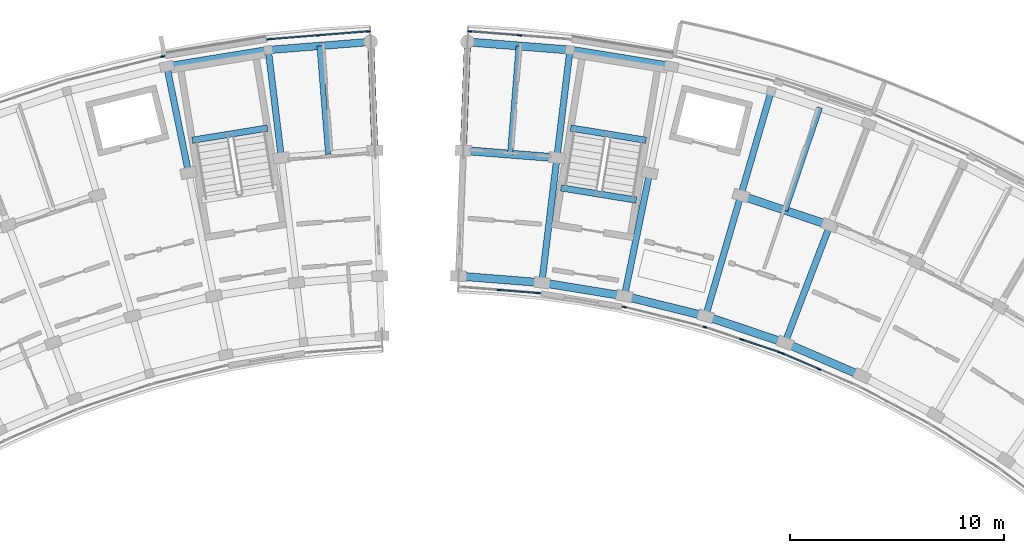
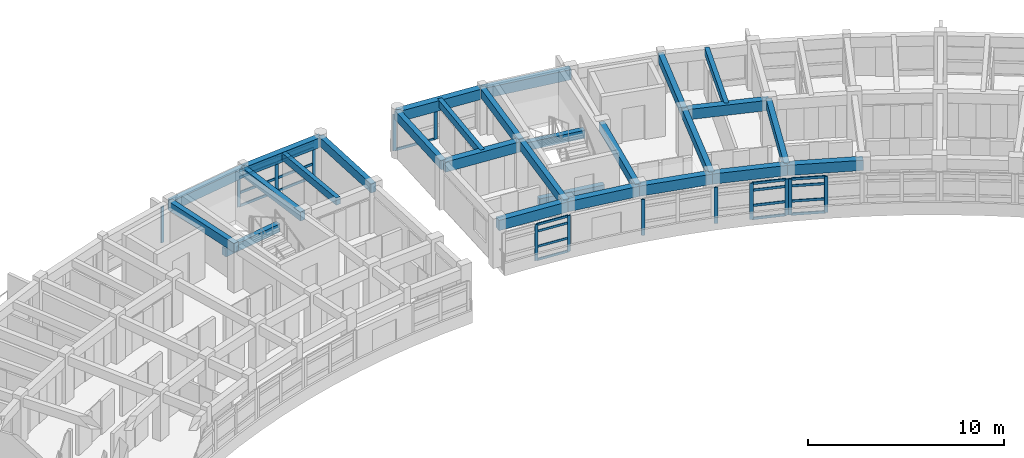
# One storey, part 13 of 40: 35 members, 27 beams, 7 elements without a shape of their own.
"""IFC4 building model written with IfcOpenShell, lengths in metres."""

from ifc_helpers import new_model, si_unit, direction, frame, origin, origin_2d, place, context, subcontext, project, spatial, rectangle, extrude, material, material_profile, profile_set, type_object, element, aggregate, save


model = new_model("IFC4")

# Units and contexts
model_context = context("Model", 3, precision=1e-05, world=origin(), true_north=direction((0.0, 1.0)))
body_context = subcontext(model_context, "Body", "Model", "MODEL_VIEW")
ifc_project = project(units=[si_unit("LENGTHUNIT", "METRE"), si_unit("AREAUNIT", "SQUARE_METRE"), si_unit("VOLUMEUNIT", "CUBIC_METRE"), si_unit("PLANEANGLEUNIT", "RADIAN"), si_unit("MASSUNIT", "GRAM", prefix="KILO")], contexts=[model_context])

# Site, building, storey
site_placement = place(None, origin())
site = spatial("IfcSite", under=ifc_project, at=site_placement, CompositionType="ELEMENT")
building_placement = place(site_placement, origin())
building = spatial("IfcBuilding", under=site, at=building_placement, Name="Zimvara Arc Housing Community", CompositionType="ELEMENT")
storey_placement = place(building_placement, frame((0.0, 0.0, 32.89990234375)))
storey = spatial("IfcBuildingStorey", under=building, at=storey_placement, Name="L10", CompositionType="ELEMENT", Elevation=32.89990234375)

# Beams
ifc_material_1 = material(Name="Concrete C40/50", Category="concrete")
ifc_material_profile_1 = material_profile(ifc_material_1, rectangle(XDim=0.25, YDim=0.449951171875, at=origin_2d()), Name="RC 250x450")
ifc_profile_set_1 = profile_set([ifc_material_profile_1], Name="Concrete C40/50")
beam_type_1 = type_object("IfcBeamType", Name="BM-RC-250x450", PredefinedType="JOIST", material=ifc_profile_set_1)
for number, where, z_axis, x_axis, name in (
    (1, (40.7451171875, 98.08642578125, 2.635009765625), (-0.079171686291, 0.99686099537, 0.0), (-0.99686099537, -0.079171686291, 0.0), "bm:blkA:L10:joist:b9"),
    (2, (49.2548828125, 98.08642578125, 2.635009765625), (0.079171686291, 0.99686099537, 0.0), (-0.99686099537, 0.079171686291, 0.0), "bm:blkB:L10:joist:b0"),
    (3, (62.1279296875, 95.453369140625, 2.635009765625), (0.318607669836, 0.947886677152, 0.0), (-0.947886677152, 0.318607669836, 0.0), "bm:blkB:L10:joist:b3"),
):
    element("IfcBeam", number, at=place(storey_placement, frame(where, z_axis=z_axis, x_axis=x_axis)), inside=storey, type_object=beam_type_1, Name=name, PredefinedType="JOIST", context=body_context, shape_type="SweptSolid", body=[
        extrude(rectangle(XDim=0.25, YDim=0.449951171875, at=origin_2d()), origin(), (0.0, 0.0, 1.0), 5.07568359375),
    ])
ifc_material_2 = material(Name="Concrete C40/50", Category="concrete")
ifc_material_profile_2 = material_profile(ifc_material_2, rectangle(XDim=0.300048828125, YDim=0.5, at=origin_2d()), Name="RC 300x500")
ifc_profile_set_2 = profile_set([ifc_material_profile_2], Name="Concrete C40/50")
beam_type_2 = type_object("IfcBeamType", Name="BM-RC-300x500", PredefinedType="BEAM", material=ifc_profile_set_2)
for number, where, z_axis, x_axis, name in (
    (4, (37.911865234375, 99.307373046875, 1.300048828125), (-0.987080057935, -0.160227835371, 0.0), (0.160227835371, -0.987080057935, 0.0), "bm:stair_trim:ST-A2:L10:mid"),
    (5, (55.15771484375, 95.93701171875, -0.25), (-0.987080057935, 0.160227835371, 0.0), (-0.160227835371, -0.987080057935, 0.0), "bm:stair_trim:ST-B1:L10:near"),
    (6, (55.612060546875, 98.7353515625, 1.300048828125), (-0.987080057935, 0.160227835371, 0.0), (-0.160227835371, -0.987080057935, 0.0), "bm:stair_trim:ST-B1:L10:mid"),
):
    element("IfcBeam", number, at=place(storey_placement, frame(where, z_axis=z_axis, x_axis=x_axis)), inside=storey, type_object=beam_type_2, Name=name, PredefinedType="BEAM", context=body_context, shape_type="SweptSolid", body=[
        extrude(rectangle(XDim=0.300048828125, YDim=0.5, at=origin_2d()), origin(), (0.0, 0.0, 1.0), 3.570068359375),
    ])
ifc_material_3 = material(Name="Concrete C40/50", Category="concrete")
ifc_material_profile_3 = material_profile(ifc_material_3, rectangle(XDim=0.300048828125, YDim=0.550048828125, at=origin_2d()), Name="RC 300x550")
ifc_profile_set_3 = profile_set([ifc_material_profile_3], Name="Concrete C40/50")
beam_type_3 = type_object("IfcBeamType", Name="BM-RC-300x550", PredefinedType="BEAM", material=ifc_profile_set_3)
beam_1_placement = place(storey_placement, frame((34.21875, 97.208740234375, 2.585205078125), z_axis=(-0.200411962389, 0.97971171542, 0.0), x_axis=(-0.97971171542, -0.200411962389, 0.0)))
element("IfcBeam", 7, at=beam_1_placement, inside=storey, type_object=beam_type_3, Name="bm:blkA:L10:rad:b8:r23", PredefinedType="BEAM", context=body_context, shape_type="SweptSolid", body=[
    extrude(rectangle(XDim=0.300048828125, YDim=0.550048828125, at=origin_2d()), origin(), (0.0, 0.0, 1.0), 5.079833984375),
])
for number, where, z_axis, x_axis, name in (
    (8, (38.55517578125, 97.91259765625, 2.585205078125), (-0.119762990499, 0.99280251113, 0.0), (-0.99280251113, -0.119762990499, 0.0), "bm:blkA:L10:rad:b9:r23"),
    (9, (42.934814453125, 98.26025390625, 2.585205078125), (-0.038398054907, 0.999262522753, 0.0), (-0.999262522753, -0.038398054907, 0.0), "bm:blkA:L10:rad:b10:r23"),
    (10, (47.065185546875, 98.26025390625, 2.585205078125), (0.038398054907, 0.999262522753, 0.0), (-0.999262522753, 0.038398054907, 0.0), "bm:blkB:L10:rad:b0:r23"),
):
    element("IfcBeam", number, at=place(storey_placement, frame(where, z_axis=z_axis, x_axis=x_axis)), inside=storey, type_object=beam_type_3, Name=name, PredefinedType="BEAM", context=body_context, shape_type="SweptSolid", body=[
        extrude(rectangle(XDim=0.300048828125, YDim=0.550048828125, at=origin_2d()), origin(), (0.0, 0.0, 1.0), 5.080078125),
    ])
beam_2_placement = place(storey_placement, frame((50.740234375, 92.074951171875, 2.585205078125), z_axis=(0.119827921695, 0.992794676246, 0.0), x_axis=(-0.992794676246, 0.119827921695, 0.0)))
element("IfcBeam", 11, at=beam_2_placement, inside=storey, type_object=beam_type_3, Name="bm:blkB:L10:rad:b1:r12", PredefinedType="BEAM", context=body_context, shape_type="SweptSolid", body=[
    extrude(rectangle(XDim=0.300048828125, YDim=0.550048828125, at=origin_2d()), origin(), (0.0, 0.0, 1.0), 5.880126953125),
])
beam_3_placement = place(storey_placement, frame((51.44482421875, 97.91259765625, 2.585205078125), z_axis=(0.119762990499, 0.99280251113, 0.0), x_axis=(-0.99280251113, 0.119762990499, 0.0)))
element("IfcBeam", 12, at=beam_3_placement, inside=storey, type_object=beam_type_3, Name="bm:blkB:L10:rad:b1:r23", PredefinedType="BEAM", context=body_context, shape_type="SweptSolid", body=[
    extrude(rectangle(XDim=0.300048828125, YDim=0.550048828125, at=origin_2d()), origin(), (0.0, 0.0, 1.0), 5.080078125),
])
for number, where, z_axis, x_axis, name in (
    (13, (54.602783203125, 91.447998046875, 2.585205078125), (0.200417973989, 0.979710485655, 0.0), (-0.979710485655, 0.200417973989, 0.0), "bm:blkB:L10:rad:b2:r12"),
    (14, (58.4013671875, 90.5078125, 2.585205078125), (0.27967473749, 0.960094808449, 0.0), (-0.960094808449, 0.27967473749, 0.0), "bm:blkB:L10:rad:b3:r12"),
):
    element("IfcBeam", number, at=place(storey_placement, frame(where, z_axis=z_axis, x_axis=x_axis)), inside=storey, type_object=beam_type_3, Name=name, PredefinedType="BEAM", context=body_context, shape_type="SweptSolid", body=[
        extrude(rectangle(XDim=0.300048828125, YDim=0.550048828125, at=origin_2d()), origin(), (0.0, 0.0, 1.0), 5.880126953125),
    ])
beam_4_placement = place(storey_placement, frame((60.0458984375, 96.1533203125, 2.585205078125), z_axis=(0.279662254096, 0.960098444762, 0.0), x_axis=(-0.960098444762, 0.279662254096, 0.0)))
element("IfcBeam", 15, at=beam_4_placement, inside=storey, type_object=beam_type_3, Name="bm:blkB:L10:rad:b3:r23", PredefinedType="BEAM", context=body_context, shape_type="SweptSolid", body=[
    extrude(rectangle(XDim=0.300048828125, YDim=0.550048828125, at=origin_2d()), origin(), (0.0, 0.0, 1.0), 5.079833984375),
])
beam_5_placement = place(storey_placement, frame((62.110595703125, 89.260986328125, 2.585205078125), z_axis=(0.357036247742, 0.934090529766, 0.0), x_axis=(-0.934090529766, 0.357036247742, 0.0)))
element("IfcBeam", 16, at=beam_5_placement, inside=storey, type_object=beam_type_3, Name="bm:blkB:L10:rad:b4:r12", PredefinedType="BEAM", context=body_context, shape_type="SweptSolid", body=[
    extrude(rectangle(XDim=0.300048828125, YDim=0.550048828125, at=origin_2d()), origin(), (0.0, 0.0, 1.0), 5.8798828125),
])
ifc_material_4 = material(Name="Concrete C40/50", Category="concrete")
ifc_material_profile_4 = material_profile(ifc_material_4, rectangle(XDim=0.35009765625, YDim=0.60009765625, at=origin_2d()), Name="RC 350x600")
ifc_profile_set_4 = profile_set([ifc_material_profile_4], Name="Concrete C40/50")
beam_type_4 = type_object("IfcBeamType", Name="BM-RC-350x600", PredefinedType="BEAM", material=ifc_profile_set_4)
beam_6_placement = place(storey_placement, frame((33.20068359375, 102.185546875, 2.56005859375), z_axis=(0.987076839731, 0.160247659784, 0.0), x_axis=(-0.160247659784, 0.987076839731, 0.0)))
element("IfcBeam", 17, at=beam_6_placement, inside=storey, type_object=beam_type_4, Name="bm:blkA:L10:chord:r3:b8", PredefinedType="BEAM", context=body_context, shape_type="SweptSolid", body=[
    extrude(rectangle(XDim=0.35009765625, YDim=0.60009765625, at=origin_2d()), origin(), (0.0, 0.0, 1.0), 4.808349609375),
])
beam_7_placement = place(storey_placement, frame((37.94677734375, 102.9560546875, 2.56005859375), z_axis=(0.996861768207, 0.0791619548, 0.0), x_axis=(-0.0791619548, 0.996861768207, 0.0)))
element("IfcBeam", 18, at=beam_7_placement, inside=storey, type_object=beam_type_4, Name="bm:blkA:L10:chord:r3:b9", PredefinedType="BEAM", context=body_context, shape_type="SweptSolid", body=[
    extrude(rectangle(XDim=0.35009765625, YDim=0.60009765625, at=origin_2d()), origin(), (0.0, 0.0, 1.0), 4.80810546875),
])
ifc_material_5 = material(Name="Concrete C40/50", Category="concrete")
ifc_material_profile_5 = material_profile(ifc_material_5, rectangle(XDim=0.3798828125, YDim=0.639892578125, at=origin_2d()), Name="RC 380x640")
ifc_profile_set_5 = profile_set([ifc_material_profile_5], Name="Concrete C40/50")
beam_type_5 = type_object("IfcBeamType", Name="BM-RC-380x640", PredefinedType="BEAM", material=ifc_profile_set_5)
beam_8_placement = place(storey_placement, frame((46.839599609375, 92.384765625, 2.5400390625), z_axis=(0.99686054795, -0.079177319606, 0.0), x_axis=(0.079177319606, 0.99686054795, 0.0)))
element("IfcBeam", 19, at=beam_8_placement, inside=storey, type_object=beam_type_5, Name="bm:blkB:L10:chord:r1:b0", PredefinedType="BEAM", context=body_context, shape_type="SweptSolid", body=[
    extrude(rectangle(XDim=0.3798828125, YDim=0.639892578125, at=origin_2d()), origin(), (0.0, 0.0, 1.0), 3.912841796875),
])
for number, where, z_axis, x_axis, name in (
    (20, (50.740234375, 92.074951171875, 2.5400390625), (0.987081487371, -0.160219029111, 0.0), (0.160219029111, 0.987081487371, 0.0), "bm:blkB:L10:chord:r1:b1"),
    (21, (54.602783203125, 91.447998046875, 2.5400390625), (0.970708671682, -0.240259598602, 0.0), (0.240259598602, 0.970708671682, 0.0), "bm:blkB:L10:chord:r1:b2"),
    (22, (58.4013671875, 90.5078125, 2.5400390625), (0.947881689069, -0.31862250945, 0.0), (0.31862250945, 0.947881689069, 0.0), "bm:blkB:L10:chord:r1:b3"),
    (23, (62.110595703125, 89.260986328125, 2.5400390625), (0.91873144242, -0.394882940514, 0.0), (0.394882940514, 0.91873144242, 0.0), "bm:blkB:L10:chord:r1:b4"),
):
    element("IfcBeam", number, at=place(storey_placement, frame(where, z_axis=z_axis, x_axis=x_axis)), inside=storey, type_object=beam_type_5, Name=name, PredefinedType="BEAM", context=body_context, shape_type="SweptSolid", body=[
        extrude(rectangle(XDim=0.3798828125, YDim=0.639892578125, at=origin_2d()), origin(), (0.0, 0.0, 1.0), 3.9130859375),
    ])
beam_9_placement = place(storey_placement, frame((47.065185546875, 98.26025390625, 2.5400390625), z_axis=(0.996864209836, -0.079131202119, 0.0), x_axis=(0.079131202119, 0.996864209836, 0.0)))
element("IfcBeam", 24, at=beam_9_placement, inside=storey, type_object=beam_type_5, Name="bm:blkB:L10:chord:r2:b0", PredefinedType="BEAM", context=body_context, shape_type="SweptSolid", body=[
    extrude(rectangle(XDim=0.3798828125, YDim=0.639892578125, at=origin_2d()), origin(), (0.0, 0.0, 1.0), 4.393310546875),
])
beam_10_placement = place(storey_placement, frame((60.0458984375, 96.1533203125, 2.5400390625), z_axis=(0.947868796036, -0.318660862832, 0.0), x_axis=(0.318660862832, 0.947868796036, 0.0)))
element("IfcBeam", 25, at=beam_10_placement, inside=storey, type_object=beam_type_5, Name="bm:blkB:L10:chord:r2:b3", PredefinedType="BEAM", context=body_context, shape_type="SweptSolid", body=[
    extrude(rectangle(XDim=0.3798828125, YDim=0.639892578125, at=origin_2d()), origin(), (0.0, 0.0, 1.0), 4.39306640625),
])
beam_11_placement = place(storey_placement, frame((47.26025390625, 103.336669921875, 2.5400390625), z_axis=(0.996861768207, -0.0791619548, 0.0), x_axis=(0.0791619548, 0.996861768207, 0.0)))
element("IfcBeam", 26, at=beam_11_placement, inside=storey, type_object=beam_type_5, Name="bm:blkB:L10:chord:r3:b0", PredefinedType="BEAM", context=body_context, shape_type="SweptSolid", body=[
    extrude(rectangle(XDim=0.3798828125, YDim=0.639892578125, at=origin_2d()), origin(), (0.0, 0.0, 1.0), 4.80810546875),
])
beam_12_placement = place(storey_placement, frame((52.05322265625, 102.9560546875, 2.5400390625), z_axis=(0.987076839731, -0.160247659784, 0.0), x_axis=(0.160247659784, 0.987076839731, 0.0)))
element("IfcBeam", 27, at=beam_12_placement, inside=storey, type_object=beam_type_5, Name="bm:blkB:L10:chord:r3:b1", PredefinedType="BEAM", context=body_context, shape_type="SweptSolid", body=[
    extrude(rectangle(XDim=0.3798828125, YDim=0.639892578125, at=origin_2d()), origin(), (0.0, 0.0, 1.0), 4.808349609375),
])

# Curtain wall, members
ifc_material_6 = material(Name="Anodised Aluminium AW-6063", Category="aluminium")
curtain_wall_type_1 = type_object("IfcCurtainWallType", Name="CW-SYS-08", PredefinedType="USERDEFINED", material=ifc_material_6)
curtain_wall_1_placement = place(storey_placement, origin())
curtain_wall_1 = element("IfcCurtainWall", 28, at=curtain_wall_1_placement, inside=storey, type_object=curtain_wall_type_1, Name="cw:blkB:L10:in:b0", ObjectType="CURTAIN WALL", PredefinedType="USERDEFINED")
ifc_material_7 = material(Name="Anodised Aluminium AW-6063", Category="aluminium")
ifc_material_profile_6 = material_profile(ifc_material_7, rectangle(XDim=0.06494140625, YDim=0.179931640625, at=origin_2d()), Name="ALU 65x180")
ifc_profile_set_6 = profile_set([ifc_material_profile_6], Name="Anodised Aluminium AW-6063")
member_type_1 = type_object("IfcMemberType", Name="CWM-65x150", PredefinedType="MULLION", material=ifc_profile_set_6)
member_1_placement = place(storey_placement, frame((48.75048828125, 91.731689453125, 0.0), z_axis=(0.0, 0.0, 1.0), x_axis=(0.079155101851, 0.996862312384, 0.0)))
member_1 = element("IfcMember", 29, at=member_1_placement, type_object=member_type_1, Name="CW08 mullion 2", PredefinedType="MULLION", context=body_context, shape_type="SweptSolid", body=[
    extrude(rectangle(XDim=0.06494140625, YDim=0.179931640625, at=origin_2d()), origin(), (0.0, 0.0, 1.0), 2.25),
])
member_2_placement = place(storey_placement, frame((50.588134765625, 91.5859375, 0.0), z_axis=(0.0, 0.0, 1.0), x_axis=(0.079155101851, 0.996862312384, 0.0)))
member_2 = element("IfcMember", 30, at=member_2_placement, type_object=member_type_1, Name="CW08 mullion 3", PredefinedType="MULLION", context=body_context, shape_type="SweptSolid", body=[
    extrude(rectangle(XDim=0.06494140625, YDim=0.179931640625, at=origin_2d()), origin(), (0.0, 0.0, 1.0), 2.25),
])

# Curtain wall, member
ifc_material_8 = material(Name="Anodised Aluminium AW-6063", Category="aluminium")
curtain_wall_type_2 = type_object("IfcCurtainWallType", Name="CW-SYS-02", PredefinedType="USERDEFINED", material=ifc_material_8)
curtain_wall_2_placement = place(storey_placement, origin())
curtain_wall_2 = element("IfcCurtainWall", 31, at=curtain_wall_2_placement, inside=storey, type_object=curtain_wall_type_2, Name="cw:blkB:L10:in:b2", ObjectType="CURTAIN WALL", PredefinedType="USERDEFINED")
member_3_placement = place(storey_placement, frame((54.592529296875, 90.935791015625, 0.0), z_axis=(0.0, 0.0, 1.0), x_axis=(0.240229186313, 0.970716198507, 0.0)))
member_3 = element("IfcMember", 32, at=member_3_placement, type_object=member_type_1, Name="CW02 mullion 1", PredefinedType="MULLION", context=body_context, shape_type="SweptSolid", body=[
    extrude(rectangle(XDim=0.06494140625, YDim=0.179931640625, at=origin_2d()), origin(), (0.0, 0.0, 1.0), 2.25),
])
aggregate(curtain_wall_2, [member_3])

ifc_material_9 = material(Name="Anodised Aluminium AW-6063", Category="aluminium")
curtain_wall_type_3 = type_object("IfcCurtainWallType", Name="CW-SYS-03", PredefinedType="USERDEFINED", material=ifc_material_9)
curtain_wall_3_placement = place(storey_placement, origin())
curtain_wall_3 = element("IfcCurtainWall", 33, at=curtain_wall_3_placement, inside=storey, type_object=curtain_wall_type_3, Name="cw:blkA:L10:out:b7", ObjectType="CURTAIN WALL", PredefinedType="USERDEFINED")
ifc_material_10 = material(Name="Anodised Aluminium AW-6063", Category="aluminium")
ifc_material_profile_7 = material_profile(ifc_material_10, rectangle(XDim=0.06494140625, YDim=0.195068359375, at=origin_2d()), Name="ALU 65x195")
ifc_profile_set_7 = profile_set([ifc_material_profile_7], Name="Anodised Aluminium AW-6063")
member_type_2 = type_object("IfcMemberType", Name="CWM-65x180", PredefinedType="MULLION", material=ifc_profile_set_7)
member_4_placement = place(storey_placement, frame((33.0107421875, 102.6533203125, 0.0), z_axis=(0.0, 0.0, 1.0), x_axis=(-0.240229711131, 0.970716068627, 0.0)))
member_4 = element("IfcMember", 34, at=member_4_placement, type_object=member_type_2, Name="CW03 mullion 3", PredefinedType="MULLION", context=body_context, shape_type="SweptSolid", body=[
    extrude(rectangle(XDim=0.06494140625, YDim=0.195068359375, at=origin_2d()), origin(), (0.0, 0.0, 1.0), 2.25),
])
aggregate(curtain_wall_3, [member_4])

# Curtain wall, members
ifc_material_11 = material(Name="Anodised Aluminium AW-6063", Category="aluminium")
curtain_wall_type_4 = type_object("IfcCurtainWallType", Name="CW-SYS-05", PredefinedType="USERDEFINED", material=ifc_material_11)
curtain_wall_4_placement = place(storey_placement, origin())
curtain_wall_4 = element("IfcCurtainWall", 35, at=curtain_wall_4_placement, inside=storey, type_object=curtain_wall_type_4, Name="cw:blkA:L10:out:b9", ObjectType="CURTAIN WALL", PredefinedType="USERDEFINED")
member_5_placement = place(storey_placement, frame((37.97900390625, 103.459716796875, 0.0), z_axis=(0.0, 0.0, 1.0), x_axis=(-0.079153759607, 0.996862418963, 0.0)))
member_5 = element("IfcMember", 36, at=member_5_placement, type_object=member_type_2, Name="CW05 mullion 1", PredefinedType="MULLION", context=body_context, shape_type="SweptSolid", body=[
    extrude(rectangle(XDim=0.06494140625, YDim=0.195068359375, at=origin_2d()), origin(), (0.0, 0.0, 1.0), 2.25),
])
member_6_placement = place(storey_placement, frame((40.3037109375, 103.644287109375, 0.0), z_axis=(0.0, 0.0, 1.0), x_axis=(-0.079153759607, 0.996862418963, 0.0)))
member_6 = element("IfcMember", 37, at=member_6_placement, type_object=member_type_2, Name="CW05 mullion 2", PredefinedType="MULLION", context=body_context, shape_type="SweptSolid", body=[
    extrude(rectangle(XDim=0.06494140625, YDim=0.195068359375, at=origin_2d()), origin(), (0.0, 0.0, 1.0), 2.25),
])
member_7_placement = place(storey_placement, frame((42.62841796875, 103.828857421875, 0.0), z_axis=(0.0, 0.0, 1.0), x_axis=(-0.079153759607, 0.996862418963, 0.0)))
member_7 = element("IfcMember", 38, at=member_7_placement, type_object=member_type_2, Name="CW05 mullion 3", PredefinedType="MULLION", context=body_context, shape_type="SweptSolid", body=[
    extrude(rectangle(XDim=0.06494140625, YDim=0.195068359375, at=origin_2d()), origin(), (0.0, 0.0, 1.0), 2.25),
])

ifc_material_12 = material(Name="Anodised Aluminium AW-6063", Category="aluminium")
curtain_wall_type_5 = type_object("IfcCurtainWallType", Name="CW-SYS-07", PredefinedType="USERDEFINED", material=ifc_material_12)
curtain_wall_5_placement = place(storey_placement, origin())
curtain_wall_5 = element("IfcCurtainWall", 39, at=curtain_wall_5_placement, inside=storey, type_object=curtain_wall_type_5, Name="cw:blkB:L10:out:b0", ObjectType="CURTAIN WALL", PredefinedType="USERDEFINED")
member_8_placement = place(storey_placement, frame((47.37158203125, 103.828857421875, 0.0), z_axis=(0.0, 0.0, 1.0), x_axis=(0.079153759607, 0.996862418963, 0.0)))
member_8 = element("IfcMember", 40, at=member_8_placement, type_object=member_type_2, Name="CW07 mullion 1", PredefinedType="MULLION", context=body_context, shape_type="SweptSolid", body=[
    extrude(rectangle(XDim=0.06494140625, YDim=0.195068359375, at=origin_2d()), origin(), (0.0, 0.0, 1.0), 2.25),
])
member_9_placement = place(storey_placement, frame((49.6962890625, 103.644287109375, 0.0), z_axis=(0.0, 0.0, 1.0), x_axis=(0.079153759607, 0.996862418963, 0.0)))
member_9 = element("IfcMember", 41, at=member_9_placement, type_object=member_type_2, Name="CW07 mullion 2", PredefinedType="MULLION", context=body_context, shape_type="SweptSolid", body=[
    extrude(rectangle(XDim=0.06494140625, YDim=0.195068359375, at=origin_2d()), origin(), (0.0, 0.0, 1.0), 2.25),
])

curtain_wall_6_placement = place(storey_placement, origin())
curtain_wall_6 = element("IfcCurtainWall", 42, at=curtain_wall_6_placement, inside=storey, type_object=curtain_wall_type_3, Name="cw:blkB:L10:in:b3", ObjectType="CURTAIN WALL", PredefinedType="USERDEFINED")
member_10_placement = place(storey_placement, frame((58.34912109375, 89.998291015625, 0.0), z_axis=(0.0, 0.0, 1.0), x_axis=(0.318626909491, 0.94788021002, 0.0)))
member_10 = element("IfcMember", 43, at=member_10_placement, type_object=member_type_2, Name="CW03 mullion 1", PredefinedType="MULLION", context=body_context, shape_type="SweptSolid", body=[
    extrude(rectangle(XDim=0.06494140625, YDim=0.195068359375, at=origin_2d()), origin(), (0.0, 0.0, 1.0), 2.25),
])
member_11_placement = place(storey_placement, frame((60.0966796875, 89.410888671875, 0.0), z_axis=(0.0, 0.0, 1.0), x_axis=(0.318626909491, 0.94788021002, 0.0)))
member_11 = element("IfcMember", 44, at=member_11_placement, type_object=member_type_2, Name="CW03 mullion 2", PredefinedType="MULLION", context=body_context, shape_type="SweptSolid", body=[
    extrude(rectangle(XDim=0.06494140625, YDim=0.195068359375, at=origin_2d()), origin(), (0.0, 0.0, 1.0), 2.25),
])
member_12_placement = place(storey_placement, frame((61.84423828125, 88.823486328125, 0.0), z_axis=(0.0, 0.0, 1.0), x_axis=(0.318626909491, 0.94788021002, 0.0)))
member_12 = element("IfcMember", 45, at=member_12_placement, type_object=member_type_2, Name="CW03 mullion 3", PredefinedType="MULLION", context=body_context, shape_type="SweptSolid", body=[
    extrude(rectangle(XDim=0.06494140625, YDim=0.195068359375, at=origin_2d()), origin(), (0.0, 0.0, 1.0), 2.25),
])

curtain_wall_7_placement = place(storey_placement, origin())
curtain_wall_7 = element("IfcCurtainWall", 46, at=curtain_wall_7_placement, inside=storey, type_object=curtain_wall_type_4, Name="cw:blkB:L10:in:b4", ObjectType="CURTAIN WALL", PredefinedType="USERDEFINED")
member_13_placement = place(storey_placement, frame((62.016845703125, 88.757568359375, 0.0), z_axis=(0.0, 0.0, 1.0), x_axis=(0.394903951674, 0.918722411261, 0.0)))
member_13 = element("IfcMember", 47, at=member_13_placement, type_object=member_type_2, Name="CW05 mullion 1", PredefinedType="MULLION", context=body_context, shape_type="SweptSolid", body=[
    extrude(rectangle(XDim=0.06494140625, YDim=0.195068359375, at=origin_2d()), origin(), (0.0, 0.0, 1.0), 2.25),
])
member_14_placement = place(storey_placement, frame((63.710693359375, 88.029541015625, 0.0), z_axis=(0.0, 0.0, 1.0), x_axis=(0.394903951674, 0.918722411261, 0.0)))
member_14 = element("IfcMember", 48, at=member_14_placement, type_object=member_type_2, Name="CW05 mullion 2", PredefinedType="MULLION", context=body_context, shape_type="SweptSolid", body=[
    extrude(rectangle(XDim=0.06494140625, YDim=0.195068359375, at=origin_2d()), origin(), (0.0, 0.0, 1.0), 2.25),
])

# Member
ifc_material_13 = material(Name="Anodised Aluminium AW-6063", Category="aluminium")
ifc_material_profile_8 = material_profile(ifc_material_13, rectangle(XDim=0.06494140625, YDim=0.139892578125, at=origin_2d()), Name="ALU 65x140")
ifc_profile_set_8 = profile_set([ifc_material_profile_8], Name="Anodised Aluminium AW-6063")
member_type_3 = type_object("IfcMemberType", Name="CWT-65x120", PredefinedType="USERDEFINED", material=ifc_profile_set_8)
member_15_placement = place(storey_placement, frame((48.78271484375, 91.729248046875, 0.03271484375), z_axis=(0.996859203924, -0.079194239386, 0.0), x_axis=(0.079194239386, 0.996859203924, 0.0)))
member_15 = element("IfcMember", 49, at=member_15_placement, type_object=member_type_3, Name="CW08 transom 2.1", ObjectType="TRANSOM", PredefinedType="USERDEFINED", context=body_context, shape_type="SweptSolid", body=[
    extrude(rectangle(XDim=0.06494140625, YDim=0.139892578125, at=origin_2d()), origin(), (0.0, 0.0, 1.0), 1.77880859375),
])

member_16_placement = place(storey_placement, frame((48.78271484375, 91.729248046875, 0.85009765625), z_axis=(0.996859203924, -0.079194239386, 0.0), x_axis=(0.079194239386, 0.996859203924, 0.0)))
member_16 = element("IfcMember", 50, at=member_16_placement, type_object=member_type_3, Name="CW08 transom 2.2", ObjectType="TRANSOM", PredefinedType="USERDEFINED", context=body_context, shape_type="SweptSolid", body=[
    extrude(rectangle(XDim=0.06494140625, YDim=0.139892578125, at=origin_2d()), origin(), (0.0, 0.0, 1.0), 1.77880859375),
])

member_17_placement = place(storey_placement, frame((48.78271484375, 91.729248046875, 1.800048828125), z_axis=(0.996859203924, -0.079194239386, 0.0), x_axis=(0.079194239386, 0.996859203924, 0.0)))
member_17 = element("IfcMember", 51, at=member_17_placement, type_object=member_type_3, Name="CW08 transom 2.3", ObjectType="TRANSOM", PredefinedType="USERDEFINED", context=body_context, shape_type="SweptSolid", body=[
    extrude(rectangle(XDim=0.06494140625, YDim=0.139892578125, at=origin_2d()), origin(), (0.0, 0.0, 1.0), 1.77880859375),
])

member_18_placement = place(storey_placement, frame((48.78271484375, 91.729248046875, 2.217529296875), z_axis=(0.996859203924, -0.079194239386, 0.0), x_axis=(0.079194239386, 0.996859203924, 0.0)))
member_18 = element("IfcMember", 52, at=member_18_placement, type_object=member_type_3, Name="CW08 transom 2.4", ObjectType="TRANSOM", PredefinedType="USERDEFINED", context=body_context, shape_type="SweptSolid", body=[
    extrude(rectangle(XDim=0.06494140625, YDim=0.139892578125, at=origin_2d()), origin(), (0.0, 0.0, 1.0), 1.77880859375),
])

aggregate(curtain_wall_1, [member_1, member_2, member_15, member_16, member_17, member_18])

ifc_material_14 = material(Name="Anodised Aluminium AW-6063", Category="aluminium")
ifc_material_profile_9 = material_profile(ifc_material_14, rectangle(XDim=0.06494140625, YDim=0.155029296875, at=origin_2d()), Name="ALU 65x155")
ifc_profile_set_9 = profile_set([ifc_material_profile_9], Name="Anodised Aluminium AW-6063")
member_type_4 = type_object("IfcMemberType", Name="CWT-65x140", PredefinedType="USERDEFINED", material=ifc_profile_set_9)
member_19_placement = place(storey_placement, frame((38.011474609375, 103.46240234375, 0.03271484375), z_axis=(0.996862021022, 0.079158771116, 0.0), x_axis=(-0.079158771116, 0.996862021022, 0.0)))
member_19 = element("IfcMember", 53, at=member_19_placement, type_object=member_type_4, Name="CW05 transom 1.1", ObjectType="TRANSOM", PredefinedType="USERDEFINED", context=body_context, shape_type="SweptSolid", body=[
    extrude(rectangle(XDim=0.06494140625, YDim=0.155029296875, at=origin_2d()), origin(), (0.0, 0.0, 1.0), 2.266845703125),
])

member_20_placement = place(storey_placement, frame((38.011474609375, 103.46240234375, 0.85009765625), z_axis=(0.996862021022, 0.079158771116, 0.0), x_axis=(-0.079158771116, 0.996862021022, 0.0)))
member_20 = element("IfcMember", 54, at=member_20_placement, type_object=member_type_4, Name="CW05 transom 1.2", ObjectType="TRANSOM", PredefinedType="USERDEFINED", context=body_context, shape_type="SweptSolid", body=[
    extrude(rectangle(XDim=0.06494140625, YDim=0.155029296875, at=origin_2d()), origin(), (0.0, 0.0, 1.0), 2.266845703125),
])

member_21_placement = place(storey_placement, frame((38.011474609375, 103.46240234375, 1.800048828125), z_axis=(0.996862021022, 0.079158771116, 0.0), x_axis=(-0.079158771116, 0.996862021022, 0.0)))
member_21 = element("IfcMember", 55, at=member_21_placement, type_object=member_type_4, Name="CW05 transom 1.3", ObjectType="TRANSOM", PredefinedType="USERDEFINED", context=body_context, shape_type="SweptSolid", body=[
    extrude(rectangle(XDim=0.06494140625, YDim=0.155029296875, at=origin_2d()), origin(), (0.0, 0.0, 1.0), 2.266845703125),
])

member_22_placement = place(storey_placement, frame((38.011474609375, 103.46240234375, 2.217529296875), z_axis=(0.996862021022, 0.079158771116, 0.0), x_axis=(-0.079158771116, 0.996862021022, 0.0)))
member_22 = element("IfcMember", 56, at=member_22_placement, type_object=member_type_4, Name="CW05 transom 1.4", ObjectType="TRANSOM", PredefinedType="USERDEFINED", context=body_context, shape_type="SweptSolid", body=[
    extrude(rectangle(XDim=0.06494140625, YDim=0.155029296875, at=origin_2d()), origin(), (0.0, 0.0, 1.0), 2.266845703125),
])

member_23_placement = place(storey_placement, frame((40.336181640625, 103.64697265625, 0.03271484375), z_axis=(0.996862021022, 0.079158771116, 0.0), x_axis=(-0.079158771116, 0.996862021022, 0.0)))
member_23 = element("IfcMember", 57, at=member_23_placement, type_object=member_type_4, Name="CW05 transom 2.1", ObjectType="TRANSOM", PredefinedType="USERDEFINED", context=body_context, shape_type="SweptSolid", body=[
    extrude(rectangle(XDim=0.06494140625, YDim=0.155029296875, at=origin_2d()), origin(), (0.0, 0.0, 1.0), 2.266845703125),
])

member_24_placement = place(storey_placement, frame((40.336181640625, 103.64697265625, 0.85009765625), z_axis=(0.996862021022, 0.079158771116, 0.0), x_axis=(-0.079158771116, 0.996862021022, 0.0)))
member_24 = element("IfcMember", 58, at=member_24_placement, type_object=member_type_4, Name="CW05 transom 2.2", ObjectType="TRANSOM", PredefinedType="USERDEFINED", context=body_context, shape_type="SweptSolid", body=[
    extrude(rectangle(XDim=0.06494140625, YDim=0.155029296875, at=origin_2d()), origin(), (0.0, 0.0, 1.0), 2.266845703125),
])

member_25_placement = place(storey_placement, frame((40.336181640625, 103.64697265625, 1.800048828125), z_axis=(0.996862021022, 0.079158771116, 0.0), x_axis=(-0.079158771116, 0.996862021022, 0.0)))
member_25 = element("IfcMember", 59, at=member_25_placement, type_object=member_type_4, Name="CW05 transom 2.3", ObjectType="TRANSOM", PredefinedType="USERDEFINED", context=body_context, shape_type="SweptSolid", body=[
    extrude(rectangle(XDim=0.06494140625, YDim=0.155029296875, at=origin_2d()), origin(), (0.0, 0.0, 1.0), 2.266845703125),
])

member_26_placement = place(storey_placement, frame((40.336181640625, 103.64697265625, 2.217529296875), z_axis=(0.996862021022, 0.079158771116, 0.0), x_axis=(-0.079158771116, 0.996862021022, 0.0)))
member_26 = element("IfcMember", 60, at=member_26_placement, type_object=member_type_4, Name="CW05 transom 2.4", ObjectType="TRANSOM", PredefinedType="USERDEFINED", context=body_context, shape_type="SweptSolid", body=[
    extrude(rectangle(XDim=0.06494140625, YDim=0.155029296875, at=origin_2d()), origin(), (0.0, 0.0, 1.0), 2.266845703125),
])

aggregate(curtain_wall_4, [member_5, member_6, member_7, member_19, member_20, member_21, member_22, member_23, member_24, member_25, member_26])

member_27_placement = place(storey_placement, frame((47.404052734375, 103.826416015625, 0.03271484375), z_axis=(0.996862021022, -0.079158771116, 0.0), x_axis=(0.079158771116, 0.996862021022, 0.0)))
member_27 = element("IfcMember", 61, at=member_27_placement, type_object=member_type_4, Name="CW07 transom 1.1", ObjectType="TRANSOM", PredefinedType="USERDEFINED", context=body_context, shape_type="SweptSolid", body=[
    extrude(rectangle(XDim=0.06494140625, YDim=0.155029296875, at=origin_2d()), origin(), (0.0, 0.0, 1.0), 2.266845703125),
])

aggregate(curtain_wall_5, [member_8, member_9, member_27])

member_28_placement = place(storey_placement, frame((60.127685546875, 89.400634765625, 0.03271484375), z_axis=(0.947884095882, -0.318615349246, 0.0), x_axis=(0.318615349246, 0.947884095882, 0.0)))
member_28 = element("IfcMember", 62, at=member_28_placement, type_object=member_type_4, Name="CW03 transom 2.1", ObjectType="TRANSOM", PredefinedType="USERDEFINED", context=body_context, shape_type="SweptSolid", body=[
    extrude(rectangle(XDim=0.06494140625, YDim=0.155029296875, at=origin_2d()), origin(), (0.0, 0.0, 1.0), 1.778564453125),
])

member_29_placement = place(storey_placement, frame((60.127685546875, 89.400634765625, 0.85009765625), z_axis=(0.947884095882, -0.318615349246, 0.0), x_axis=(0.318615349246, 0.947884095882, 0.0)))
member_29 = element("IfcMember", 63, at=member_29_placement, type_object=member_type_4, Name="CW03 transom 2.2", ObjectType="TRANSOM", PredefinedType="USERDEFINED", context=body_context, shape_type="SweptSolid", body=[
    extrude(rectangle(XDim=0.06494140625, YDim=0.155029296875, at=origin_2d()), origin(), (0.0, 0.0, 1.0), 1.778564453125),
])

member_30_placement = place(storey_placement, frame((60.127685546875, 89.400634765625, 1.800048828125), z_axis=(0.947884095882, -0.318615349246, 0.0), x_axis=(0.318615349246, 0.947884095882, 0.0)))
member_30 = element("IfcMember", 64, at=member_30_placement, type_object=member_type_4, Name="CW03 transom 2.3", ObjectType="TRANSOM", PredefinedType="USERDEFINED", context=body_context, shape_type="SweptSolid", body=[
    extrude(rectangle(XDim=0.06494140625, YDim=0.155029296875, at=origin_2d()), origin(), (0.0, 0.0, 1.0), 1.778564453125),
])

member_31_placement = place(storey_placement, frame((60.127685546875, 89.400634765625, 2.217529296875), z_axis=(0.947884095882, -0.318615349246, 0.0), x_axis=(0.318615349246, 0.947884095882, 0.0)))
member_31 = element("IfcMember", 65, at=member_31_placement, type_object=member_type_4, Name="CW03 transom 2.4", ObjectType="TRANSOM", PredefinedType="USERDEFINED", context=body_context, shape_type="SweptSolid", body=[
    extrude(rectangle(XDim=0.06494140625, YDim=0.155029296875, at=origin_2d()), origin(), (0.0, 0.0, 1.0), 1.778564453125),
])

aggregate(curtain_wall_6, [member_10, member_11, member_12, member_28, member_29, member_30, member_31])

member_32_placement = place(storey_placement, frame((62.046875, 88.74462890625, 0.03271484375), z_axis=(0.918718495938, -0.394913060334, 0.0), x_axis=(0.394913060334, 0.918718495938, 0.0)))
member_32 = element("IfcMember", 66, at=member_32_placement, type_object=member_type_4, Name="CW05 transom 1.1", ObjectType="TRANSOM", PredefinedType="USERDEFINED", context=body_context, shape_type="SweptSolid", body=[
    extrude(rectangle(XDim=0.06494140625, YDim=0.155029296875, at=origin_2d()), origin(), (0.0, 0.0, 1.0), 1.778564453125),
])

member_33_placement = place(storey_placement, frame((62.046875, 88.74462890625, 0.85009765625), z_axis=(0.918718495938, -0.394913060334, 0.0), x_axis=(0.394913060334, 0.918718495938, 0.0)))
member_33 = element("IfcMember", 67, at=member_33_placement, type_object=member_type_4, Name="CW05 transom 1.2", ObjectType="TRANSOM", PredefinedType="USERDEFINED", context=body_context, shape_type="SweptSolid", body=[
    extrude(rectangle(XDim=0.06494140625, YDim=0.155029296875, at=origin_2d()), origin(), (0.0, 0.0, 1.0), 1.778564453125),
])

member_34_placement = place(storey_placement, frame((62.046875, 88.74462890625, 1.800048828125), z_axis=(0.918718495938, -0.394913060334, 0.0), x_axis=(0.394913060334, 0.918718495938, 0.0)))
member_34 = element("IfcMember", 68, at=member_34_placement, type_object=member_type_4, Name="CW05 transom 1.3", ObjectType="TRANSOM", PredefinedType="USERDEFINED", context=body_context, shape_type="SweptSolid", body=[
    extrude(rectangle(XDim=0.06494140625, YDim=0.155029296875, at=origin_2d()), origin(), (0.0, 0.0, 1.0), 1.778564453125),
])

member_35_placement = place(storey_placement, frame((62.046875, 88.74462890625, 2.217529296875), z_axis=(0.918718495938, -0.394913060334, 0.0), x_axis=(0.394913060334, 0.918718495938, 0.0)))
member_35 = element("IfcMember", 69, at=member_35_placement, type_object=member_type_4, Name="CW05 transom 1.4", ObjectType="TRANSOM", PredefinedType="USERDEFINED", context=body_context, shape_type="SweptSolid", body=[
    extrude(rectangle(XDim=0.06494140625, YDim=0.155029296875, at=origin_2d()), origin(), (0.0, 0.0, 1.0), 1.778564453125),
])

aggregate(curtain_wall_7, [member_13, member_14, member_32, member_33, member_34, member_35])

save(model, "model.ifc")
